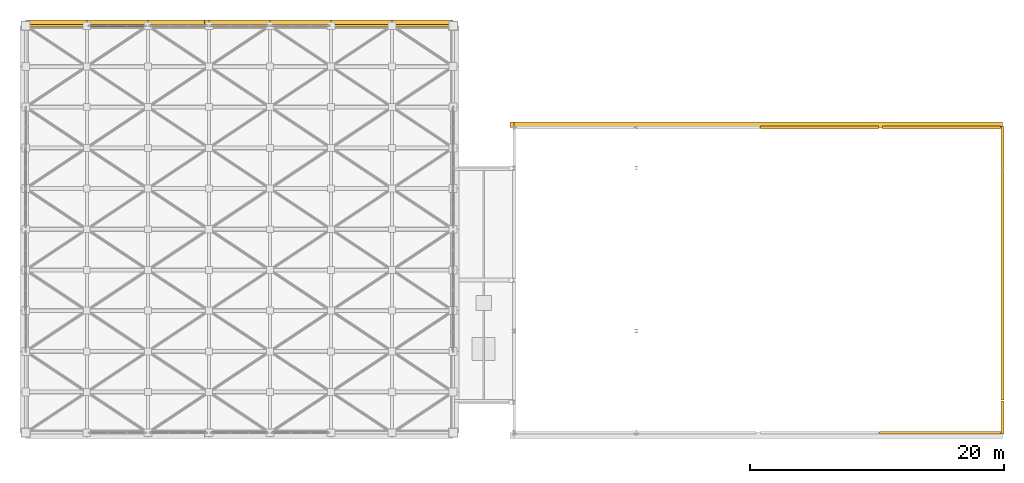
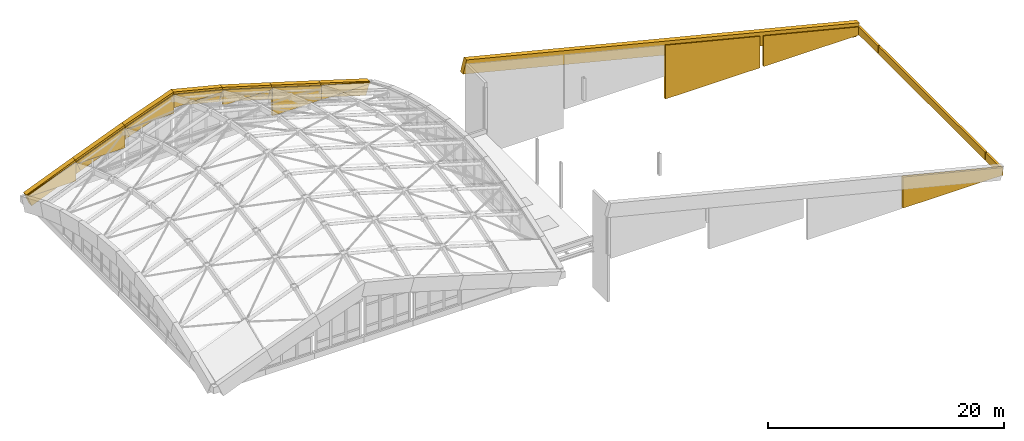
# One storey, part 14 of 14: 21 coverings.
"""IFC4 building model written with IfcOpenShell, lengths in metres."""

from ifc_helpers import new_model, si_unit, direction, frame, origin, place, context, subcontext, project, spatial, polyline, outline, extrude, material, layer, layer_set, type_object, element, save


model = new_model("IFC4")

# Units and contexts
model_context = context("Model", 3, precision=1e-05, world=origin(), true_north=direction((0.0, 1.0)))
body_context = subcontext(model_context, "Body", "Model", "MODEL_VIEW")
ifc_project = project(units=[si_unit("LENGTHUNIT", "METRE"), si_unit("AREAUNIT", "SQUARE_METRE"), si_unit("VOLUMEUNIT", "CUBIC_METRE"), si_unit("PLANEANGLEUNIT", "RADIAN"), si_unit("MASSUNIT", "GRAM", prefix="KILO")], contexts=[model_context])

# Site, building, storey
site_placement = place(None, origin())
site = spatial("IfcSite", under=ifc_project, at=site_placement, CompositionType="ELEMENT")
building_placement = place(site_placement, origin())
building = spatial("IfcBuilding", under=site, at=building_placement, Name="Dunescarp Central Library", CompositionType="ELEMENT")
storey_placement = place(building_placement, frame((0.0, 0.0, 31.800048828125)))
storey = spatial("IfcBuildingStorey", under=building, at=storey_placement, Name="ROOF", CompositionType="ELEMENT", Elevation=31.800048828125)

# Coverings
ifc_material = material(Name="Glass-fibre reinforced concrete GRC", Category="concrete")
ifc_layer_1 = layer(ifc_material, 0.219970703125)
ifc_layer_set_1 = layer_set([ifc_layer_1], Name="Glass-fibre reinforced concrete GRC")
covering_type_1 = type_object("IfcCoveringType", Name="ARC-COV-CLER", PredefinedType="CLADDING", material=ifc_layer_set_1)
covering_1_placement = place(storey_placement, frame((0.0, 36.800048828125, -0.010009765625), z_axis=(0.0, 0.0, 1.0), x_axis=(1.0, 0.0, 0.0)))
element("IfcCovering", 1, at=covering_1_placement, inside=storey, type_object=covering_type_1, Name="Crown corner tympanum N1", PredefinedType="CLADDING", context=body_context, shape_type="SweptSolid", body=[
    extrude(outline(polyline([(0.0, 0.0), (4.800048828125, 0.0), (4.800048828125, 1.919921875), (0.0, 0.1298828125), (0.0, 0.0)])), frame((0.0, 0.10986328125, 0.0), z_axis=(0.0, -1.0, 0.0), x_axis=(1.0, 0.0, 0.0)), (0.0, 0.0, 1.0), 0.219970703125),
])
covering_2_placement = place(storey_placement, frame((4.800048828125, 36.800048828125, 1.739990234375), z_axis=(0.0, 0.0, 1.0), x_axis=(1.0, 0.0, 0.0)))
element("IfcCovering", 2, at=covering_2_placement, inside=storey, type_object=covering_type_1, Name="Crown arch tympanum N2", PredefinedType="CLADDING", context=body_context, shape_type="SweptSolid", body=[
    extrude(outline(polyline([(0.0, 0.0), (4.800048828125, 0.0), (4.800048828125, 2.070068359375), (0.0, 0.169921875), (0.0, 0.0)])), frame((0.0, 0.10009765625, 0.0), z_axis=(0.0, -1.0, 0.0), x_axis=(1.0, 0.0, 0.0)), (0.0, 0.0, 1.0), 0.199951171875),
])
covering_3_placement = place(storey_placement, frame((9.60009765625, 36.800048828125, 3.639892578125), z_axis=(0.0, 0.0, 1.0), x_axis=(1.0, 0.0, 0.0)))
element("IfcCovering", 3, at=covering_3_placement, inside=storey, type_object=covering_type_1, Name="Crown arch tympanum N3", PredefinedType="CLADDING", context=body_context, shape_type="SweptSolid", body=[
    extrude(outline(polyline([(0.0, 0.0), (4.7998046875, 0.0), (4.800048828125, 1.920166015625), (0.0, 0.170166015625), (0.0, 0.0)])), frame((0.0, 0.10009765625, 0.0), z_axis=(0.0, -1.0, 0.0), x_axis=(1.0, 0.0, 0.0)), (0.0, 0.0, 1.0), 0.199951171875),
])
covering_4_placement = place(storey_placement, frame((14.39990234375, 36.800048828125, 4.18994140625), z_axis=(0.0, 0.0, 1.0), x_axis=(1.0, 0.0, 0.0)))
element("IfcCovering", 4, at=covering_4_placement, inside=storey, type_object=covering_type_1, Name="Crown arch tympanum N4", PredefinedType="CLADDING", context=body_context, shape_type="SweptSolid", body=[
    extrude(outline(polyline([(0.0, 0.0), (4.800048828125, 0.0), (4.800048828125, 0.169921875), (0.0, 1.3701171875), (0.0, 0.0)])), frame((0.0, 0.10009765625, 0.0), z_axis=(0.0, -1.0, 0.0), x_axis=(1.0, 0.0, 0.0)), (0.0, 0.0, 1.0), 0.199951171875),
])
covering_5_placement = place(storey_placement, frame((19.199951171875, 36.800048828125, 2.739990234375), z_axis=(0.0, 0.0, 1.0), x_axis=(1.0, 0.0, 0.0)))
element("IfcCovering", 5, at=covering_5_placement, inside=storey, type_object=covering_type_1, Name="Crown arch tympanum N5", PredefinedType="CLADDING", context=body_context, shape_type="SweptSolid", body=[
    extrude(outline(polyline([(0.0, 0.0), (4.800048828125, 0.0), (4.800048828125, 0.169921875), (0.0, 1.619873046875), (0.0, 0.0)])), frame((0.0, 0.10009765625, 0.0), z_axis=(0.0, -1.0, 0.0), x_axis=(1.0, 0.0, 0.0)), (0.0, 0.0, 1.0), 0.199951171875),
])
covering_6_placement = place(storey_placement, frame((24.0, 36.800048828125, -0.010009765625), z_axis=(0.0, 0.0, 1.0), x_axis=(1.0, 0.0, 0.0)))
element("IfcCovering", 6, at=covering_6_placement, inside=storey, type_object=covering_type_1, Name="Crown corner tympanum N6", PredefinedType="CLADDING", context=body_context, shape_type="SweptSolid", body=[
    extrude(outline(polyline([(0.0, 0.0), (4.800048828125, 0.0), (4.800048828125, 1.449951171875), (0.0, 2.919921875), (0.0, 0.0)])), frame((0.0, 0.10986328125, 0.0), z_axis=(0.0, -1.0, 0.0), x_axis=(1.0, 0.0, 0.0)), (0.0, 0.0, 1.0), 0.219970703125),
])
covering_7_placement = place(storey_placement, frame((28.800048828125, 36.800048828125, -0.010009765625), z_axis=(0.0, 0.0, 1.0), x_axis=(1.0, 0.0, 0.0)))
element("IfcCovering", 7, at=covering_7_placement, inside=storey, type_object=covering_type_1, Name="Crown corner tympanum N7", PredefinedType="CLADDING", context=body_context, shape_type="SweptSolid", body=[
    extrude(outline(polyline([(0.0, 0.0), (4.800048828125, 0.0), (4.800048828125, 0.1298828125), (0.0, 1.449951171875), (0.0, 0.0)])), frame((0.0, 0.10986328125, 0.0), z_axis=(0.0, -1.0, 0.0), x_axis=(1.0, 0.0, 0.0)), (0.0, 0.0, 1.0), 0.219970703125),
])
covering_8_placement = place(storey_placement, frame((76.885009765625, 4.800048828125, -5.22998046875), z_axis=(0.0, 0.0, 1.0), x_axis=(-1.0, 0.0, 0.0)))
element("IfcCovering", 8, at=covering_8_placement, inside=storey, type_object=covering_type_1, Name="L05 V2 raked clerestory closure CLR-V2-L05-038", PredefinedType="CLADDING", context=body_context, shape_type="SweptSolid", body=[
    extrude(outline(polyline([(0.0, 0.0), (9.77001953125, 0.0), (9.77001953125, 3.22705078125), (0.0, 0.784912109375), (0.0, 0.0)])), frame((0.0, 0.10986328125, 0.0), z_axis=(0.0, -1.0, 0.0), x_axis=(1.0, 0.0, 0.0)), (0.0, 0.0, 1.0), 0.219970703125),
])
covering_9_placement = place(storey_placement, frame((57.77490234375, 28.800048828125, -5.237060546875), z_axis=(0.0, 0.0, 1.0), x_axis=(1.0, 0.0, 0.0)))
element("IfcCovering", 9, at=covering_9_placement, inside=storey, type_object=covering_type_1, Name="L05 V2 raked clerestory closure CLR-V2-L05-041", PredefinedType="CLADDING", context=body_context, shape_type="SweptSolid", body=[
    extrude(outline(polyline([(0.0, 0.0), (9.25, 0.0), (9.25, 3.257080078125), (0.0, 5.570068359375), (0.0, 0.0)])), frame((0.0, 0.10986328125, 0.0), z_axis=(0.0, -1.0, 0.0), x_axis=(1.0, 0.0, 0.0)), (0.0, 0.0, 1.0), 0.219970703125),
])
covering_10_placement = place(storey_placement, frame((67.375, 28.800048828125, -5.237060546875), z_axis=(0.0, 0.0, 1.0), x_axis=(1.0, 0.0, 0.0)))
element("IfcCovering", 10, at=covering_10_placement, inside=storey, type_object=covering_type_1, Name="L05 V2 raked clerestory closure CLR-V2-L05-042", PredefinedType="CLADDING", context=body_context, shape_type="SweptSolid", body=[
    extrude(outline(polyline([(0.0, 0.0), (9.25, 0.0), (9.25, 0.85693359375), (0.0, 3.169921875), (0.0, 0.0)])), frame((0.0, 0.10986328125, 0.0), z_axis=(0.0, -1.0, 0.0), x_axis=(1.0, 0.0, 0.0)), (0.0, 0.0, 1.0), 0.219970703125),
])
covering_11_placement = place(storey_placement, frame((76.800048828125, 7.284912109375, -5.22998046875), z_axis=(0.0, 0.0, 1.0), x_axis=(0.0, -1.0, 0.0)))
element("IfcCovering", 11, at=covering_11_placement, inside=storey, type_object=covering_type_1, Name="L05 V2 raked clerestory closure CLR-V2-L05-045", PredefinedType="CLADDING", context=body_context, shape_type="SweptSolid", body=[
    extrude(outline(polyline([(0.0, 0.0), (2.56982421875, 0.0), (2.570068359375, 0.805908203125), (0.0, 0.805908203125), (0.0, 0.0)])), frame((0.0, 0.10986328125, 0.0), z_axis=(0.0, -1.0, 0.0), x_axis=(1.0, 0.0, 0.0)), (0.0, 0.0, 1.0), 0.219970703125),
])
covering_12_placement = place(storey_placement, frame((76.800048828125, 28.885009765625, -5.237060546875), z_axis=(0.0, 0.0, 1.0), x_axis=(0.0, -1.0, 0.0)))
element("IfcCovering", 12, at=covering_12_placement, inside=storey, type_object=covering_type_1, Name="L05 V2 raked clerestory closure CLR-V2-L05-046", PredefinedType="CLADDING", context=body_context, shape_type="SweptSolid", body=[
    extrude(outline(polyline([(0.0, 0.0), (3.3701171875, 0.0), (3.3701171875, 0.81298828125), (0.0, 0.81298828125), (0.0, 0.0)])), frame((0.0, 0.10986328125, 0.0), z_axis=(0.0, -1.0, 0.0), x_axis=(1.0, 0.0, 0.0)), (0.0, 0.0, 1.0), 0.219970703125),
])
covering_13_placement = place(storey_placement, frame((76.800048828125, 25.425048828125, -5.22998046875), z_axis=(0.0, 0.0, 1.0), x_axis=(0.0, -1.0, 0.0)))
element("IfcCovering", 13, at=covering_13_placement, inside=storey, type_object=covering_type_1, Name="L05 V2 raked clerestory closure CLR-V2-L05-047", PredefinedType="CLADDING", context=body_context, shape_type="SweptSolid", body=[
    extrude(outline(polyline([(0.0, 0.0), (18.050048828125, 0.0), (18.050048828125, 0.805908203125), (0.0, 0.805908203125), (0.0, 0.0)])), frame((0.0, 0.10986328125, 0.0), z_axis=(0.0, -1.0, 0.0), x_axis=(1.0, 0.0, 0.0)), (0.0, 0.0, 1.0), 0.219970703125),
])
ifc_layer_2 = layer(ifc_material, 0.449951171875)
ifc_layer_set_2 = layer_set([ifc_layer_2], Name="Glass-fibre reinforced concrete GRC")
covering_type_2 = type_object("IfcCoveringType", Name="ARC-COV-PORTAL", PredefinedType="CLADDING", material=ifc_layer_set_2)
covering_14_placement = place(storey_placement, frame((38.39990234375, 28.780029296875, 5.5400390625), z_axis=(0.242537076324, 0.0, 0.970142137322), x_axis=(0.970142137322, 0.0, -0.242537076324)))
element("IfcCovering", 14, at=covering_14_placement, inside=storey, type_object=covering_type_2, Name="V2 sculpted GRC raking portal band PRT-BAND-V2-026", PredefinedType="CLADDING", context=body_context, shape_type="SweptSolid", body=[
    extrude(outline(polyline([(0.0, 0.0), (39.58197980181126, 0.0), (39.58197980181126, 0.469970703125), (0.0, 0.469970703125), (0.0, 0.0)])), origin(), (0.0, 0.0, -1.0), 1.39990234375),
])
covering_15_placement = place(storey_placement, frame((0.0, 36.780029296875, 0.179931640625), z_axis=(-0.376365671221, 0.0, 0.926471198433), x_axis=(0.926471198433, 0.0, 0.376365671221)))
element("IfcCovering", 15, at=covering_15_placement, inside=storey, type_object=covering_type_2, Name="V1 sculpted GRC raking portal band PRT-BAND-V1-110", PredefinedType="CLADDING", context=body_context, shape_type="SweptSolid", body=[
    extrude(outline(polyline([(0.0, 0.0), (5.181001671982058, 0.0), (5.181001671982058, 0.4699707031250001), (0.0, 0.4699707031250001), (0.0, 0.0)])), origin(), (0.0, 0.0, -1.0), 1.39990234375),
])
covering_16_placement = place(storey_placement, frame((4.800048828125, 36.780029296875, 2.1298828125), z_axis=(-0.368069745395, 0.0, 0.929798183761), x_axis=(0.929798183761, 0.0, 0.368069745395)))
element("IfcCovering", 16, at=covering_16_placement, inside=storey, type_object=covering_type_2, Name="V1 sculpted GRC raking portal band PRT-BAND-V1-112", PredefinedType="CLADDING", context=body_context, shape_type="SweptSolid", body=[
    extrude(outline(polyline([(0.0, 0.0), (5.162463115070834, 0.0), (5.162463115070834, 0.469970703125), (0.0, 0.469970703125), (0.0, 0.0)])), origin(), (0.0, 0.0, -1.0), 1.39990234375),
])
covering_17_placement = place(storey_placement, frame((9.60009765625, 36.780029296875, 4.030029296875), z_axis=(-0.342541026519, 0.0, 0.939502871284), x_axis=(0.939502871284, 0.0, 0.342541026519)))
element("IfcCovering", 17, at=covering_17_placement, inside=storey, type_object=covering_type_2, Name="V1 sculpted GRC raking portal band PRT-BAND-V1-114", PredefinedType="CLADDING", context=body_context, shape_type="SweptSolid", body=[
    extrude(outline(polyline([(0.0, 0.0), (5.108877081917999, 0.0), (5.108877081917999, 0.469970703125), (0.0, 0.469970703125), (0.0, 0.0)])), origin(), (0.0, 0.0, -1.0), 1.39990234375),
])
covering_18_placement = place(storey_placement, frame((14.39990234375, 36.780029296875, 5.780029296875), z_axis=(0.242570455271, 0.0, 0.970133791922), x_axis=(0.970133791922, 0.0, -0.242570455271)))
element("IfcCovering", 18, at=covering_18_placement, inside=storey, type_object=covering_type_2, Name="V1 sculpted GRC raking portal band PRT-BAND-V1-116", PredefinedType="CLADDING", context=body_context, shape_type="SweptSolid", body=[
    extrude(outline(polyline([(0.0, 0.0), (4.947821494408539, 0.0), (4.947821494408539, 0.469970703125), (0.0, 0.469970703125), (0.0, 0.0)])), origin(), (0.0, 0.0, -1.0), 1.39990234375),
])
covering_19_placement = place(storey_placement, frame((19.199951171875, 36.780029296875, 4.579833984375), z_axis=(0.289165397378, 0.0, 0.95727915101), x_axis=(0.95727915101, 0.0, -0.289165397378)))
element("IfcCovering", 19, at=covering_19_placement, inside=storey, type_object=covering_type_2, Name="V1 sculpted GRC raking portal band PRT-BAND-V1-118", PredefinedType="CLADDING", context=body_context, shape_type="SweptSolid", body=[
    extrude(outline(polyline([(0.0, 0.0), (5.0142623737899745, 0.0), (5.0142623737899745, 0.469970703125), (0.0, 0.469970703125), (0.0, 0.0)])), origin(), (0.0, 0.0, -1.0), 1.39990234375),
])
covering_20_placement = place(storey_placement, frame((24.0, 36.780029296875, 3.1298828125), z_axis=(0.29281772144, 0.0, 0.95616828122), x_axis=(0.95616828122, 0.0, -0.29281772144)))
element("IfcCovering", 20, at=covering_20_placement, inside=storey, type_object=covering_type_2, Name="V1 sculpted GRC raking portal band PRT-BAND-V1-120", PredefinedType="CLADDING", context=body_context, shape_type="SweptSolid", body=[
    extrude(outline(polyline([(0.0, 0.0), (5.020087909631663, 0.0), (5.020087909631663, 0.4699707031250001), (0.0, 0.4699707031250001), (0.0, 0.0)])), origin(), (0.0, 0.0, -1.0), 1.39990234375),
])
covering_21_placement = place(storey_placement, frame((28.800048828125, 36.780029296875, 1.659912109375), z_axis=(0.294639100089, 0.0, 0.955608602252), x_axis=(0.955608602252, 0.0, -0.294639100089)))
element("IfcCovering", 21, at=covering_21_placement, inside=storey, type_object=covering_type_2, Name="V1 sculpted GRC raking portal band PRT-BAND-V1-122", PredefinedType="CLADDING", context=body_context, shape_type="SweptSolid", body=[
    extrude(outline(polyline([(0.0, 0.0), (5.023028064849495, 0.0), (5.023028064849495, 0.469970703125), (0.0, 0.469970703125), (0.0, 0.0)])), origin(), (0.0, 0.0, -1.0), 1.39990234375),
])

save(model, "model.ifc")
